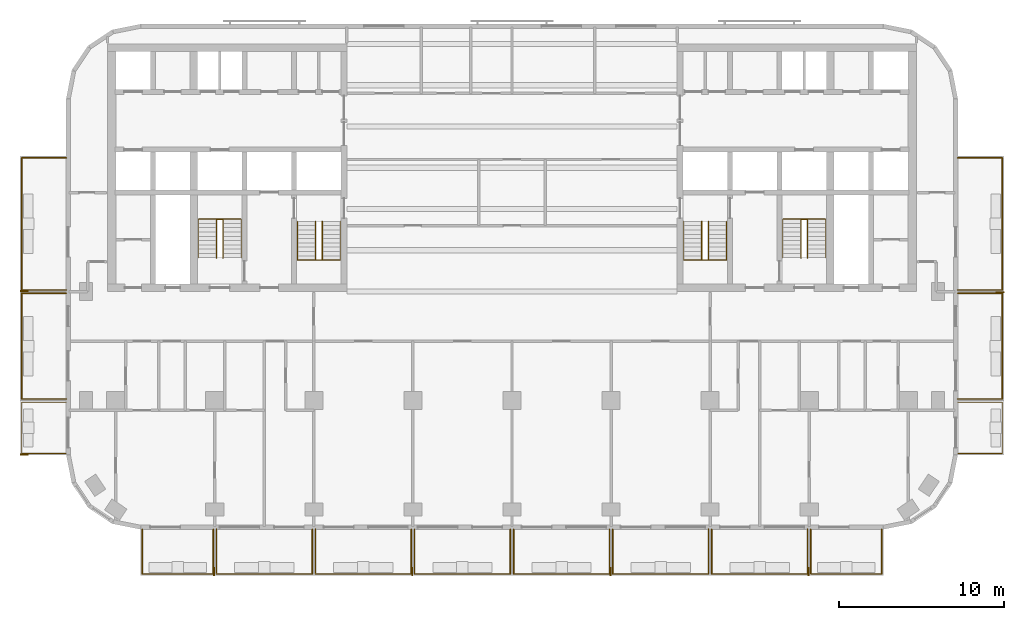
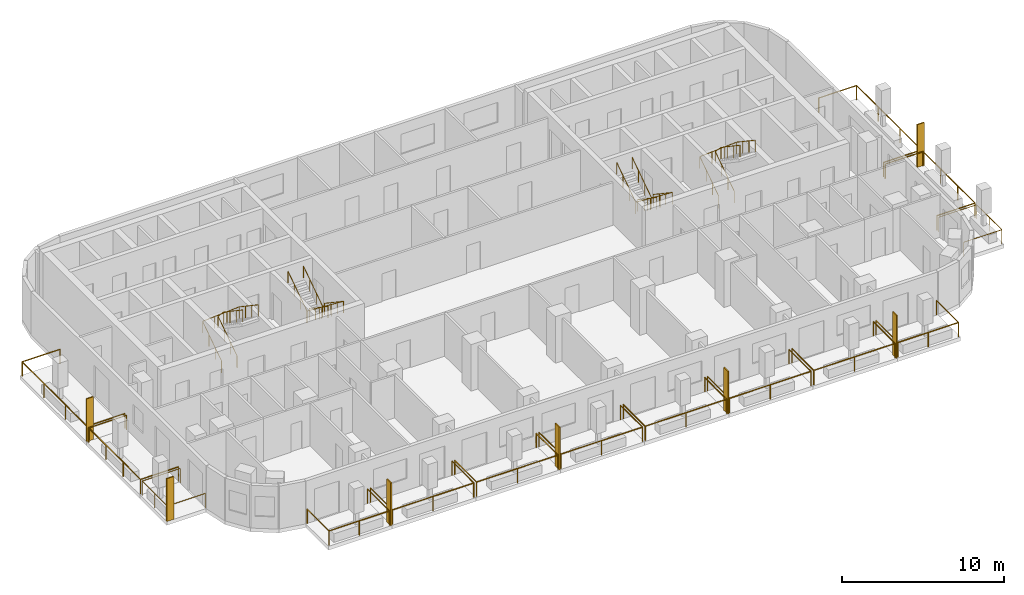
# One storey, part 10 of 12: 22 railings, 7 shading devices.
"""IFC4 building model written with IfcOpenShell, lengths in metres."""

from ifc_helpers import new_model, si_unit, direction, frame, origin, origin_2d, place, context, subcontext, project, spatial, rectangle, circle, extrude, material, layer, layer_set, type_object, element, save


model = new_model("IFC4")

# Units and contexts
model_context = context("Model", 3, precision=1e-05, world=origin(), true_north=direction((0.0, 1.0)))
body_context = subcontext(model_context, "Body", "Model", "MODEL_VIEW")
ifc_project = project(units=[si_unit("LENGTHUNIT", "METRE"), si_unit("AREAUNIT", "SQUARE_METRE"), si_unit("VOLUMEUNIT", "CUBIC_METRE"), si_unit("PLANEANGLEUNIT", "RADIAN"), si_unit("MASSUNIT", "GRAM", prefix="KILO")], contexts=[model_context])

# Site, building, storey
site_placement = place(None, origin())
site = spatial("IfcSite", under=ifc_project, at=site_placement, CompositionType="ELEMENT")
building_placement = place(site_placement, origin())
building = spatial("IfcBuilding", under=site, at=building_placement, Name="Torana Hotel and Residences", CompositionType="ELEMENT")
storey_placement = place(building_placement, frame((0.0, 0.0, 201.10009765625)))
storey = spatial("IfcBuildingStorey", under=building, at=storey_placement, Name="L52", CompositionType="ELEMENT", Elevation=201.10009765625)

# Shading devices
ifc_material_1 = material(Name="Black powder coated aluminium", Category="aluminium")
ifc_layer = layer(ifc_material_1, 0.080078125)
ifc_layer_set = layer_set([ifc_layer], Name="FN1 VERTICAL FIN 500x80")
shading_device_type = type_object("IfcShadingDeviceType", Name="FN1 VERTICAL FIN 500x80", PredefinedType="USERDEFINED", material=ifc_layer_set)
for number, where, z_axis, x_axis, name in (
    (1, (-18.0400390625, -31.949951171875, 0.0), (0.0, 0.0, 1.0), (-1.0, 0.0, 0.0), "Fin 01"),
    (2, (-6.0400390625, -31.949951171875, 0.0), (0.0, 0.0, 1.0), (-1.0, 0.0, 0.0), "Fin 03"),
    (3, (5.9599609375, -31.949951171875, 0.0), (0.0, 0.0, 1.0), (-1.0, 0.0, 0.0), "Fin 05"),
    (4, (17.9599609375, -31.949951171875, 0.0), (0.0, 0.0, 1.0), (-1.0, 0.0, 0.0), "Fin 07"),
    (5, (-29.550048828125, -24.860107421875, 0.0), (0.0, 0.0, 1.0), (0.0, 1.0, 0.0), "Fin 09"),
    (6, (-29.550048828125, -14.9599609375, 0.0), (0.0, 0.0, 1.0), (0.0, 1.0, 0.0), "Fin 11"),
    (7, (29.550048828125, -15.0400390625, 0.0), (0.0, 0.0, 1.0), (0.0, -1.0, 0.0), "Fin 13"),
):
    element("IfcShadingDevice", number, at=place(storey_placement, frame(where, z_axis=z_axis, x_axis=x_axis)), inside=storey, type_object=shading_device_type, Name=name, ObjectType="FIN", PredefinedType="USERDEFINED", context=body_context, shape_type="SweptSolid", body=[
        extrude(rectangle(XDim=0.080078125, YDim=0.5, at=origin_2d()), origin(), (0.0, 0.0, 1.0), 3.219970703125),
    ])

# Railings
ifc_material_2 = material(Name="Laminated glass balustrade with black handrail", Category="glass")
railing_type_1 = type_object("IfcRailingType", Name="GR1 BALCONY GUARD 1100 GLASS", PredefinedType="GUARDRAIL", material=ifc_material_2)
railing_1_placement = place(storey_placement, frame((-18.10009765625, -29.39990234375, 0.0)))
element("IfcRailing", 8, at=railing_1_placement, inside=storey, type_object=railing_type_1, Name="Balcony guard 01", PredefinedType="GUARDRAIL", context=body_context, shape_type="SweptSolid", body=[
    extrude(circle(Radius=0.02392578125, at=origin_2d()), frame((0.0, 0.0, 1.076171875), z_axis=(0.0, -1.0, 0.0), x_axis=(1.0, 0.0, 0.0)), (0.0, 0.0, 1.0), 2.7001953125),
    extrude(circle(Radius=0.02392578125, at=origin_2d()), frame((0.0, -2.7001953125, 1.076171875), z_axis=(-1.0, 0.0, 0.0), x_axis=(0.0, -1.0, 0.0)), (0.0, 0.0, 1.0), 4.2998046875),
    extrude(circle(Radius=0.02392578125, at=origin_2d()), frame((-4.2998046875, -2.7001953125, 1.076171875), z_axis=(0.0, 1.0, 0.0), x_axis=(-1.0, 0.0, 0.0)), (0.0, 0.0, 1.0), 2.7001953125),
    extrude(circle(Radius=0.02099609375, at=origin_2d()), origin(), (0.0, 0.0, 1.0), 1.052001953125),
    extrude(circle(Radius=0.02099609375, at=origin_2d()), frame((0.0, -2.7001953125, 0.0)), (0.0, 0.0, 1.0), 1.052001953125),
    extrude(circle(Radius=0.02099609375, at=origin_2d()), frame((-2.14990234375, -2.7001953125, 0.0)), (0.0, 0.0, 1.0), 1.052001953125),
    extrude(circle(Radius=0.02099609375, at=origin_2d()), frame((-4.2998046875, -2.7001953125, 0.0)), (0.0, 0.0, 1.0), 1.052001953125),
    extrude(circle(Radius=0.02099609375, at=origin_2d()), frame((-4.2998046875, 0.0, 0.0)), (0.0, 0.0, 1.0), 1.052001953125),
])
for number, where, name in (
    (9, (-12.10009765625, -29.39990234375, 0.0), "Balcony guard 02"),
    (10, (-6.10009765625, -29.39990234375, 0.0), "Balcony guard 03"),
    (11, (-0.10009765625, -29.39990234375, 0.0), "Balcony guard 04"),
    (12, (5.89990234375, -29.39990234375, 0.0), "Balcony guard 05"),
    (13, (11.89990234375, -29.39990234375, 0.0), "Balcony guard 06"),
    (14, (17.89990234375, -29.39990234375, 0.0), "Balcony guard 07"),
):
    element("IfcRailing", number, at=place(storey_placement, frame(where)), inside=storey, type_object=railing_type_1, Name=name, PredefinedType="GUARDRAIL", context=body_context, shape_type="SweptSolid", body=[
        extrude(circle(Radius=0.02392578125, at=origin_2d()), frame((0.0, 0.0, 1.076171875), z_axis=(0.0, -1.0, 0.0), x_axis=(1.0, 0.0, 0.0)), (0.0, 0.0, 1.0), 2.7001953125),
        extrude(circle(Radius=0.02392578125, at=origin_2d()), frame((0.0, -2.7001953125, 1.076171875), z_axis=(-1.0, 0.0, 0.0), x_axis=(0.0, -1.0, 0.0)), (0.0, 0.0, 1.0), 5.7998046875),
        extrude(circle(Radius=0.02392578125, at=origin_2d()), frame((-5.7998046875, -2.7001953125, 1.076171875), z_axis=(0.0, 1.0, 0.0), x_axis=(-1.0, 0.0, 0.0)), (0.0, 0.0, 1.0), 2.7001953125),
        extrude(circle(Radius=0.02099609375, at=origin_2d()), origin(), (0.0, 0.0, 1.0), 1.052001953125),
        extrude(circle(Radius=0.02099609375, at=origin_2d()), frame((0.0, -2.7001953125, 0.0)), (0.0, 0.0, 1.0), 1.052001953125),
        extrude(circle(Radius=0.02099609375, at=origin_2d()), frame((-2.89990234375, -2.7001953125, 0.0)), (0.0, 0.0, 1.0), 1.052001953125),
        extrude(circle(Radius=0.02099609375, at=origin_2d()), frame((-5.7998046875, -2.7001953125, 0.0)), (0.0, 0.0, 1.0), 1.052001953125),
        extrude(circle(Radius=0.02099609375, at=origin_2d()), frame((-5.7998046875, 0.0, 0.0)), (0.0, 0.0, 1.0), 1.052001953125),
    ])
railing_2_placement = place(storey_placement, frame((22.39990234375, -29.39990234375, 0.0)))
element("IfcRailing", 15, at=railing_2_placement, inside=storey, type_object=railing_type_1, Name="Balcony guard 08", PredefinedType="GUARDRAIL", context=body_context, shape_type="SweptSolid", body=[
    extrude(circle(Radius=0.02392578125, at=origin_2d()), frame((0.0, 0.0, 1.076171875), z_axis=(0.0, -1.0, 0.0), x_axis=(1.0, 0.0, 0.0)), (0.0, 0.0, 1.0), 2.7001953125),
    extrude(circle(Radius=0.02392578125, at=origin_2d()), frame((0.0, -2.7001953125, 1.076171875), z_axis=(-1.0, 0.0, 0.0), x_axis=(0.0, -1.0, 0.0)), (0.0, 0.0, 1.0), 4.2998046875),
    extrude(circle(Radius=0.02392578125, at=origin_2d()), frame((-4.2998046875, -2.7001953125, 1.076171875), z_axis=(0.0, 1.0, 0.0), x_axis=(-1.0, 0.0, 0.0)), (0.0, 0.0, 1.0), 2.7001953125),
    extrude(circle(Radius=0.02099609375, at=origin_2d()), origin(), (0.0, 0.0, 1.0), 1.052001953125),
    extrude(circle(Radius=0.02099609375, at=origin_2d()), frame((0.0, -2.7001953125, 0.0)), (0.0, 0.0, 1.0), 1.052001953125),
    extrude(circle(Radius=0.02099609375, at=origin_2d()), frame((-2.14990234375, -2.7001953125, 0.0)), (0.0, 0.0, 1.0), 1.052001953125),
    extrude(circle(Radius=0.02099609375, at=origin_2d()), frame((-4.2998046875, -2.7001953125, 0.0)), (0.0, 0.0, 1.0), 1.052001953125),
    extrude(circle(Radius=0.02099609375, at=origin_2d()), frame((-4.2998046875, 0.0, 0.0)), (0.0, 0.0, 1.0), 1.052001953125),
])
railing_3_placement = place(storey_placement, frame((-27.0, -24.800048828125, 0.0)))
element("IfcRailing", 16, at=railing_3_placement, inside=storey, type_object=railing_type_1, Name="Balcony guard 09", PredefinedType="GUARDRAIL", context=body_context, shape_type="SweptSolid", body=[
    extrude(circle(Radius=0.02392578125, at=origin_2d()), frame((0.0, 0.0, 1.076171875), z_axis=(-1.0, 0.0, 0.0), x_axis=(0.0, -1.0, 0.0)), (0.0, 0.0, 1.0), 2.699951171875),
    extrude(circle(Radius=0.02392578125, at=origin_2d()), frame((-2.699951171875, 0.0, 1.076171875), z_axis=(0.0, 1.0, 0.0), x_axis=(-1.0, 0.0, 0.0)), (0.0, 0.0, 1.0), 3.10009765625),
    extrude(circle(Radius=0.02392578125, at=origin_2d()), frame((-2.699951171875, 3.10009765625, 1.076171875), z_axis=(1.0, 0.0, 0.0), x_axis=(0.0, 1.0, 0.0)), (0.0, 0.0, 1.0), 2.699951171875),
    extrude(circle(Radius=0.02099609375, at=origin_2d()), origin(), (0.0, 0.0, 1.0), 1.052001953125),
    extrude(circle(Radius=0.02099609375, at=origin_2d()), frame((-2.699951171875, 0.0, 0.0)), (0.0, 0.0, 1.0), 1.052001953125),
    extrude(circle(Radius=0.02099609375, at=origin_2d()), frame((-2.699951171875, 1.550048828125, 0.0)), (0.0, 0.0, 1.0), 1.052001953125),
    extrude(circle(Radius=0.02099609375, at=origin_2d()), frame((-2.699951171875, 3.10009765625, 0.0)), (0.0, 0.0, 1.0), 1.052001953125),
    extrude(circle(Radius=0.02099609375, at=origin_2d()), frame((0.0, 3.10009765625, 0.0)), (0.0, 0.0, 1.0), 1.052001953125),
])
railing_4_placement = place(storey_placement, frame((-27.0, -21.5, 0.0)))
element("IfcRailing", 17, at=railing_4_placement, inside=storey, type_object=railing_type_1, Name="Balcony guard 10", PredefinedType="GUARDRAIL", context=body_context, shape_type="SweptSolid", body=[
    extrude(circle(Radius=0.02392578125, at=origin_2d()), frame((0.0, 0.0, 1.076171875), z_axis=(-1.0, 0.0, 0.0), x_axis=(0.0, -1.0, 0.0)), (0.0, 0.0, 1.0), 2.699951171875),
    extrude(circle(Radius=0.02392578125, at=origin_2d()), frame((-2.699951171875, 0.0, 1.076171875), z_axis=(0.0, 1.0, 0.0), x_axis=(-1.0, 0.0, 0.0)), (0.0, 0.0, 1.0), 6.39990234375),
    extrude(circle(Radius=0.02392578125, at=origin_2d()), frame((-2.699951171875, 6.39990234375, 1.076171875), z_axis=(1.0, 0.0, 0.0), x_axis=(0.0, 1.0, 0.0)), (0.0, 0.0, 1.0), 2.699951171875),
    extrude(circle(Radius=0.02099609375, at=origin_2d()), origin(), (0.0, 0.0, 1.0), 1.052001953125),
    extrude(circle(Radius=0.02099609375, at=origin_2d()), frame((-2.699951171875, 0.0, 0.0)), (0.0, 0.0, 1.0), 1.052001953125),
    extrude(circle(Radius=0.02099609375, at=origin_2d()), frame((-2.699951171875, 2.13330078125, 0.0)), (0.0, 0.0, 1.0), 1.052001953125),
    extrude(circle(Radius=0.02099609375, at=origin_2d()), frame((-2.699951171875, 4.2666015625, 0.0)), (0.0, 0.0, 1.0), 1.052001953125),
    extrude(circle(Radius=0.02099609375, at=origin_2d()), frame((-2.699951171875, 6.39990234375, 0.0)), (0.0, 0.0, 1.0), 1.052001953125),
    extrude(circle(Radius=0.02099609375, at=origin_2d()), frame((0.0, 6.39990234375, 0.0)), (0.0, 0.0, 1.0), 1.052001953125),
])
railing_5_placement = place(storey_placement, frame((-27.0, -14.89990234375, 0.0)))
element("IfcRailing", 18, at=railing_5_placement, inside=storey, type_object=railing_type_1, Name="Balcony guard 11", PredefinedType="GUARDRAIL", context=body_context, shape_type="SweptSolid", body=[
    extrude(circle(Radius=0.02392578125, at=origin_2d()), frame((0.0, 0.0, 1.076171875), z_axis=(-1.0, 0.0, 0.0), x_axis=(0.0, -1.0, 0.0)), (0.0, 0.0, 1.0), 2.699951171875),
    extrude(circle(Radius=0.02392578125, at=origin_2d()), frame((-2.699951171875, 0.0, 1.076171875), z_axis=(0.0, 1.0, 0.0), x_axis=(-1.0, 0.0, 0.0)), (0.0, 0.0, 1.0), 8.0),
    extrude(circle(Radius=0.02392578125, at=origin_2d()), frame((-2.699951171875, 8.0, 1.076171875), z_axis=(1.0, 0.0, 0.0), x_axis=(0.0, 1.0, 0.0)), (0.0, 0.0, 1.0), 2.699951171875),
    extrude(circle(Radius=0.02099609375, at=origin_2d()), origin(), (0.0, 0.0, 1.0), 1.052001953125),
    extrude(circle(Radius=0.02099609375, at=origin_2d()), frame((-2.699951171875, 0.0, 0.0)), (0.0, 0.0, 1.0), 1.052001953125),
    extrude(circle(Radius=0.02099609375, at=origin_2d()), frame((-2.699951171875, 2.666748046875, 0.0)), (0.0, 0.0, 1.0), 1.052001953125),
    extrude(circle(Radius=0.02099609375, at=origin_2d()), frame((-2.699951171875, 5.333251953125, 0.0)), (0.0, 0.0, 1.0), 1.052001953125),
    extrude(circle(Radius=0.02099609375, at=origin_2d()), frame((-2.699951171875, 8.0, 0.0)), (0.0, 0.0, 1.0), 1.052001953125),
    extrude(circle(Radius=0.02099609375, at=origin_2d()), frame((0.0, 8.0, 0.0)), (0.0, 0.0, 1.0), 1.052001953125),
])
railing_6_placement = place(storey_placement, frame((27.0, -21.699951171875, 0.0)))
element("IfcRailing", 19, at=railing_6_placement, inside=storey, type_object=railing_type_1, Name="Balcony guard 12", PredefinedType="GUARDRAIL", context=body_context, shape_type="SweptSolid", body=[
    extrude(circle(Radius=0.02392578125, at=origin_2d()), frame((0.0, 0.0, 1.076171875), z_axis=(1.0, 0.0, 0.0), x_axis=(0.0, 1.0, 0.0)), (0.0, 0.0, 1.0), 2.699951171875),
    extrude(circle(Radius=0.02392578125, at=origin_2d()), frame((2.699951171875, 0.0, 1.076171875), z_axis=(0.0, -1.0, 0.0), x_axis=(1.0, 0.0, 0.0)), (0.0, 0.0, 1.0), 3.10009765625),
    extrude(circle(Radius=0.02392578125, at=origin_2d()), frame((2.699951171875, -3.10009765625, 1.076171875), z_axis=(-1.0, 0.0, 0.0), x_axis=(0.0, -1.0, 0.0)), (0.0, 0.0, 1.0), 2.699951171875),
    extrude(circle(Radius=0.02099609375, at=origin_2d()), origin(), (0.0, 0.0, 1.0), 1.052001953125),
    extrude(circle(Radius=0.02099609375, at=origin_2d()), frame((2.699951171875, 0.0, 0.0)), (0.0, 0.0, 1.0), 1.052001953125),
    extrude(circle(Radius=0.02099609375, at=origin_2d()), frame((2.699951171875, -1.550048828125, 0.0)), (0.0, 0.0, 1.0), 1.052001953125),
    extrude(circle(Radius=0.02099609375, at=origin_2d()), frame((2.699951171875, -3.10009765625, 0.0)), (0.0, 0.0, 1.0), 1.052001953125),
    extrude(circle(Radius=0.02099609375, at=origin_2d()), frame((0.0, -3.10009765625, 0.0)), (0.0, 0.0, 1.0), 1.052001953125),
])
railing_7_placement = place(storey_placement, frame((27.0, -15.10009765625, 0.0)))
element("IfcRailing", 20, at=railing_7_placement, inside=storey, type_object=railing_type_1, Name="Balcony guard 13", PredefinedType="GUARDRAIL", context=body_context, shape_type="SweptSolid", body=[
    extrude(circle(Radius=0.02392578125, at=origin_2d()), frame((0.0, 0.0, 1.076171875), z_axis=(1.0, 0.0, 0.0), x_axis=(0.0, 1.0, 0.0)), (0.0, 0.0, 1.0), 2.699951171875),
    extrude(circle(Radius=0.02392578125, at=origin_2d()), frame((2.699951171875, 0.0, 1.076171875), z_axis=(0.0, -1.0, 0.0), x_axis=(1.0, 0.0, 0.0)), (0.0, 0.0, 1.0), 6.39990234375),
    extrude(circle(Radius=0.02392578125, at=origin_2d()), frame((2.699951171875, -6.39990234375, 1.076171875), z_axis=(-1.0, 0.0, 0.0), x_axis=(0.0, -1.0, 0.0)), (0.0, 0.0, 1.0), 2.699951171875),
    extrude(circle(Radius=0.02099609375, at=origin_2d()), origin(), (0.0, 0.0, 1.0), 1.052001953125),
    extrude(circle(Radius=0.02099609375, at=origin_2d()), frame((2.699951171875, 0.0, 0.0)), (0.0, 0.0, 1.0), 1.052001953125),
    extrude(circle(Radius=0.02099609375, at=origin_2d()), frame((2.699951171875, -2.13330078125, 0.0)), (0.0, 0.0, 1.0), 1.052001953125),
    extrude(circle(Radius=0.02099609375, at=origin_2d()), frame((2.699951171875, -4.2666015625, 0.0)), (0.0, 0.0, 1.0), 1.052001953125),
    extrude(circle(Radius=0.02099609375, at=origin_2d()), frame((2.699951171875, -6.39990234375, 0.0)), (0.0, 0.0, 1.0), 1.052001953125),
    extrude(circle(Radius=0.02099609375, at=origin_2d()), frame((0.0, -6.39990234375, 0.0)), (0.0, 0.0, 1.0), 1.052001953125),
])
railing_8_placement = place(storey_placement, frame((27.0, -6.89990234375, 0.0)))
element("IfcRailing", 21, at=railing_8_placement, inside=storey, type_object=railing_type_1, Name="Balcony guard 14", PredefinedType="GUARDRAIL", context=body_context, shape_type="SweptSolid", body=[
    extrude(circle(Radius=0.02392578125, at=origin_2d()), frame((0.0, 0.0, 1.076171875), z_axis=(1.0, 0.0, 0.0), x_axis=(0.0, 1.0, 0.0)), (0.0, 0.0, 1.0), 2.699951171875),
    extrude(circle(Radius=0.02392578125, at=origin_2d()), frame((2.699951171875, 0.0, 1.076171875), z_axis=(0.0, -1.0, 0.0), x_axis=(1.0, 0.0, 0.0)), (0.0, 0.0, 1.0), 8.0),
    extrude(circle(Radius=0.02392578125, at=origin_2d()), frame((2.699951171875, -8.0, 1.076171875), z_axis=(-1.0, 0.0, 0.0), x_axis=(0.0, -1.0, 0.0)), (0.0, 0.0, 1.0), 2.699951171875),
    extrude(circle(Radius=0.02099609375, at=origin_2d()), origin(), (0.0, 0.0, 1.0), 1.052001953125),
    extrude(circle(Radius=0.02099609375, at=origin_2d()), frame((2.699951171875, 0.0, 0.0)), (0.0, 0.0, 1.0), 1.052001953125),
    extrude(circle(Radius=0.02099609375, at=origin_2d()), frame((2.699951171875, -2.666748046875, 0.0)), (0.0, 0.0, 1.0), 1.052001953125),
    extrude(circle(Radius=0.02099609375, at=origin_2d()), frame((2.699951171875, -5.333251953125, 0.0)), (0.0, 0.0, 1.0), 1.052001953125),
    extrude(circle(Radius=0.02099609375, at=origin_2d()), frame((2.699951171875, -8.0, 0.0)), (0.0, 0.0, 1.0), 1.052001953125),
    extrude(circle(Radius=0.02099609375, at=origin_2d()), frame((0.0, -8.0, 0.0)), (0.0, 0.0, 1.0), 1.052001953125),
])
ifc_material_3 = material(Name="Stainless steel 316", Category="steel")
railing_type_2 = type_object("IfcRailingType", Name="STAIR HANDRAIL HR1 900", PredefinedType="HANDRAIL", material=ifc_material_3)
railing_9_placement = place(storey_placement, frame((-10.39990234375, -10.75, 0.1748046875)))
element("IfcRailing", 22, at=railing_9_placement, inside=storey, type_object=railing_type_2, Name="Handrail ST1 L52 O1", PredefinedType="HANDRAIL", context=body_context, shape_type="SweptSolid", body=[
    extrude(circle(Radius=0.02392578125, at=origin_2d()), frame((0.0, 0.0, 0.8759765625), z_axis=(0.0, -0.829565388462, 0.558409586474), x_axis=(1.0, 0.0, 0.0)), (0.0, 0.0, 1.0), 2.82080078125),
    extrude(circle(Radius=0.02392578125, at=origin_2d()), frame((0.0, -2.340087890625, 2.451171875), z_axis=(-0.997747692642, 0.0, 0.067078624219), x_axis=(0.0, -1.0, 0.0)), (0.0, 0.0, 1.0), 2.60595703125),
    extrude(circle(Radius=0.02392578125, at=origin_2d()), frame((-2.60009765625, -2.340087890625, 2.6259765625), z_axis=(0.0, 0.829565388462, 0.558409586474), x_axis=(-1.0, 0.0, 0.0)), (0.0, 0.0, 1.0), 2.82080078125),
    extrude(circle(Radius=0.02099609375, at=origin_2d()), origin(), (0.0, 0.0, 1.0), 0.851806640625),
    extrude(circle(Radius=0.02099609375, at=origin_2d()), frame((0.0, -0.780029296875, 0.525146484375)), (0.0, 0.0, 1.0), 0.851806640625),
    extrude(circle(Radius=0.02099609375, at=origin_2d()), frame((0.0, -1.56005859375, 1.050048828125)), (0.0, 0.0, 1.0), 0.851806640625),
    extrude(circle(Radius=0.02099609375, at=origin_2d()), frame((0.0, -2.340087890625, 1.5751953125)), (0.0, 0.0, 1.0), 0.851806640625),
    extrude(circle(Radius=0.02099609375, at=origin_2d()), frame((-0.86669921875, -2.340087890625, 1.633544921875)), (0.0, 0.0, 1.0), 0.851806640625),
    extrude(circle(Radius=0.02099609375, at=origin_2d()), frame((-1.7333984375, -2.340087890625, 1.691650390625)), (0.0, 0.0, 1.0), 0.851806640625),
    extrude(circle(Radius=0.02099609375, at=origin_2d()), frame((-2.60009765625, -2.340087890625, 1.75)), (0.0, 0.0, 1.0), 0.851806640625),
    extrude(circle(Radius=0.02099609375, at=origin_2d()), frame((-2.60009765625, -1.56005859375, 2.275146484375)), (0.0, 0.0, 1.0), 0.851806640625),
    extrude(circle(Radius=0.02099609375, at=origin_2d()), frame((-2.60009765625, -0.780029296875, 2.800048828125)), (0.0, 0.0, 1.0), 0.851806640625),
    extrude(circle(Radius=0.02099609375, at=origin_2d()), frame((-2.60009765625, 0.0, 3.3251953125)), (0.0, 0.0, 1.0), 0.851806640625),
])
railing_10_placement = place(storey_placement, frame((-11.5, -10.75, 0.1748046875)))
element("IfcRailing", 23, at=railing_10_placement, inside=storey, type_object=railing_type_2, Name="Handrail ST1 L52 I1", PredefinedType="HANDRAIL", context=body_context, shape_type="SweptSolid", body=[
    extrude(circle(Radius=0.02392578125, at=origin_2d()), frame((0.0, 0.0, 0.8759765625), z_axis=(0.0, -0.829565388462, 0.558409586474), x_axis=(1.0, 0.0, 0.0)), (0.0, 0.0, 1.0), 2.82080078125),
    extrude(circle(Radius=0.02392578125, at=origin_2d()), frame((0.0, -2.340087890625, 2.451171875), z_axis=(-0.916285673175, 0.0, 0.400525361412), x_axis=(0.0, -1.0, 0.0)), (0.0, 0.0, 1.0), 0.4365234375),
    extrude(circle(Radius=0.02392578125, at=origin_2d()), frame((-0.39990234375, -2.340087890625, 2.6259765625), z_axis=(0.0, 0.829565388462, 0.558409586474), x_axis=(-1.0, 0.0, 0.0)), (0.0, 0.0, 1.0), 2.82080078125),
    extrude(circle(Radius=0.02099609375, at=origin_2d()), origin(), (0.0, 0.0, 1.0), 0.851806640625),
    extrude(circle(Radius=0.02099609375, at=origin_2d()), frame((0.0, -0.780029296875, 0.525146484375)), (0.0, 0.0, 1.0), 0.851806640625),
    extrude(circle(Radius=0.02099609375, at=origin_2d()), frame((0.0, -1.56005859375, 1.050048828125)), (0.0, 0.0, 1.0), 0.851806640625),
    extrude(circle(Radius=0.02099609375, at=origin_2d()), frame((0.0, -2.340087890625, 1.5751953125)), (0.0, 0.0, 1.0), 0.851806640625),
    extrude(circle(Radius=0.02099609375, at=origin_2d()), frame((-0.39990234375, -2.340087890625, 1.75)), (0.0, 0.0, 1.0), 0.851806640625),
    extrude(circle(Radius=0.02099609375, at=origin_2d()), frame((-0.39990234375, -1.56005859375, 2.275146484375)), (0.0, 0.0, 1.0), 0.851806640625),
    extrude(circle(Radius=0.02099609375, at=origin_2d()), frame((-0.39990234375, -0.780029296875, 2.800048828125)), (0.0, 0.0, 1.0), 0.851806640625),
    extrude(circle(Radius=0.02099609375, at=origin_2d()), frame((-0.39990234375, 0.0, 3.3251953125)), (0.0, 0.0, 1.0), 0.851806640625),
])
railing_11_placement = place(storey_placement, frame((-19.0, -12.949951171875, 0.1748046875)))
element("IfcRailing", 24, at=railing_11_placement, inside=storey, type_object=railing_type_2, Name="Handrail ST2 L52 O1", PredefinedType="HANDRAIL", context=body_context, shape_type="SweptSolid", body=[
    extrude(circle(Radius=0.02392578125, at=origin_2d()), frame((0.0, 0.0, 0.8759765625), z_axis=(0.0, 0.829538397957, 0.558449681095), x_axis=(-1.0, 0.0, 0.0)), (0.0, 0.0, 1.0), 2.820556640625),
    extrude(circle(Radius=0.02392578125, at=origin_2d()), frame((0.0, 2.33984375, 2.451171875), z_axis=(0.997747692642, 0.0, 0.067078624219), x_axis=(0.0, 1.0, 0.0)), (0.0, 0.0, 1.0), 2.60595703125),
    extrude(circle(Radius=0.02392578125, at=origin_2d()), frame((2.60009765625, 2.33984375, 2.6259765625), z_axis=(0.0, -0.829538397957, 0.558449681095), x_axis=(1.0, 0.0, 0.0)), (0.0, 0.0, 1.0), 2.820556640625),
    extrude(circle(Radius=0.02099609375, at=origin_2d()), origin(), (0.0, 0.0, 1.0), 0.851806640625),
    extrude(circle(Radius=0.02099609375, at=origin_2d()), frame((0.0, 0.780029296875, 0.525146484375)), (0.0, 0.0, 1.0), 0.851806640625),
    extrude(circle(Radius=0.02099609375, at=origin_2d()), frame((0.0, 1.559814453125, 1.050048828125)), (0.0, 0.0, 1.0), 0.851806640625),
    extrude(circle(Radius=0.02099609375, at=origin_2d()), frame((0.0, 2.33984375, 1.5751953125)), (0.0, 0.0, 1.0), 0.851806640625),
    extrude(circle(Radius=0.02099609375, at=origin_2d()), frame((0.86669921875, 2.33984375, 1.633544921875)), (0.0, 0.0, 1.0), 0.851806640625),
    extrude(circle(Radius=0.02099609375, at=origin_2d()), frame((1.7333984375, 2.33984375, 1.691650390625)), (0.0, 0.0, 1.0), 0.851806640625),
    extrude(circle(Radius=0.02099609375, at=origin_2d()), frame((2.60009765625, 2.33984375, 1.75)), (0.0, 0.0, 1.0), 0.851806640625),
    extrude(circle(Radius=0.02099609375, at=origin_2d()), frame((2.60009765625, 1.559814453125, 2.275146484375)), (0.0, 0.0, 1.0), 0.851806640625),
    extrude(circle(Radius=0.02099609375, at=origin_2d()), frame((2.60009765625, 0.780029296875, 2.800048828125)), (0.0, 0.0, 1.0), 0.851806640625),
    extrude(circle(Radius=0.02099609375, at=origin_2d()), frame((2.60009765625, 0.0, 3.3251953125)), (0.0, 0.0, 1.0), 0.851806640625),
])
railing_12_placement = place(storey_placement, frame((-17.89990234375, -12.949951171875, 0.1748046875)))
element("IfcRailing", 25, at=railing_12_placement, inside=storey, type_object=railing_type_2, Name="Handrail ST2 L52 I1", PredefinedType="HANDRAIL", context=body_context, shape_type="SweptSolid", body=[
    extrude(circle(Radius=0.02392578125, at=origin_2d()), frame((0.0, 0.0, 0.8759765625), z_axis=(0.0, 0.829538397957, 0.558449681095), x_axis=(-1.0, 0.0, 0.0)), (0.0, 0.0, 1.0), 2.820556640625),
    extrude(circle(Radius=0.02392578125, at=origin_2d()), frame((0.0, 2.33984375, 2.451171875), z_axis=(0.916285673175, 0.0, 0.400525361412), x_axis=(0.0, 1.0, 0.0)), (0.0, 0.0, 1.0), 0.4365234375),
    extrude(circle(Radius=0.02392578125, at=origin_2d()), frame((0.39990234375, 2.33984375, 2.6259765625), z_axis=(0.0, -0.829538397957, 0.558449681095), x_axis=(1.0, 0.0, 0.0)), (0.0, 0.0, 1.0), 2.820556640625),
    extrude(circle(Radius=0.02099609375, at=origin_2d()), origin(), (0.0, 0.0, 1.0), 0.851806640625),
    extrude(circle(Radius=0.02099609375, at=origin_2d()), frame((0.0, 0.780029296875, 0.525146484375)), (0.0, 0.0, 1.0), 0.851806640625),
    extrude(circle(Radius=0.02099609375, at=origin_2d()), frame((0.0, 1.559814453125, 1.050048828125)), (0.0, 0.0, 1.0), 0.851806640625),
    extrude(circle(Radius=0.02099609375, at=origin_2d()), frame((0.0, 2.33984375, 1.5751953125)), (0.0, 0.0, 1.0), 0.851806640625),
    extrude(circle(Radius=0.02099609375, at=origin_2d()), frame((0.39990234375, 2.33984375, 1.75)), (0.0, 0.0, 1.0), 0.851806640625),
    extrude(circle(Radius=0.02099609375, at=origin_2d()), frame((0.39990234375, 1.559814453125, 2.275146484375)), (0.0, 0.0, 1.0), 0.851806640625),
    extrude(circle(Radius=0.02099609375, at=origin_2d()), frame((0.39990234375, 0.780029296875, 2.800048828125)), (0.0, 0.0, 1.0), 0.851806640625),
    extrude(circle(Radius=0.02099609375, at=origin_2d()), frame((0.39990234375, 0.0, 3.3251953125)), (0.0, 0.0, 1.0), 0.851806640625),
])
railing_13_placement = place(storey_placement, frame((13.0, -10.75, 0.1748046875)))
element("IfcRailing", 26, at=railing_13_placement, inside=storey, type_object=railing_type_2, Name="Handrail ST3 L52 O1", PredefinedType="HANDRAIL", context=body_context, shape_type="SweptSolid", body=[
    extrude(circle(Radius=0.02392578125, at=origin_2d()), frame((0.0, 0.0, 0.8759765625), z_axis=(0.0, -0.829565388462, 0.558409586474), x_axis=(1.0, 0.0, 0.0)), (0.0, 0.0, 1.0), 2.82080078125),
    extrude(circle(Radius=0.02392578125, at=origin_2d()), frame((0.0, -2.340087890625, 2.451171875), z_axis=(-0.997747692642, 0.0, 0.067078624219), x_axis=(0.0, -1.0, 0.0)), (0.0, 0.0, 1.0), 2.60595703125),
    extrude(circle(Radius=0.02392578125, at=origin_2d()), frame((-2.60009765625, -2.340087890625, 2.6259765625), z_axis=(0.0, 0.829565388462, 0.558409586474), x_axis=(-1.0, 0.0, 0.0)), (0.0, 0.0, 1.0), 2.82080078125),
    extrude(circle(Radius=0.02099609375, at=origin_2d()), origin(), (0.0, 0.0, 1.0), 0.851806640625),
    extrude(circle(Radius=0.02099609375, at=origin_2d()), frame((0.0, -0.780029296875, 0.525146484375)), (0.0, 0.0, 1.0), 0.851806640625),
    extrude(circle(Radius=0.02099609375, at=origin_2d()), frame((0.0, -1.56005859375, 1.050048828125)), (0.0, 0.0, 1.0), 0.851806640625),
    extrude(circle(Radius=0.02099609375, at=origin_2d()), frame((0.0, -2.340087890625, 1.5751953125)), (0.0, 0.0, 1.0), 0.851806640625),
    extrude(circle(Radius=0.02099609375, at=origin_2d()), frame((-0.86669921875, -2.340087890625, 1.633544921875)), (0.0, 0.0, 1.0), 0.851806640625),
    extrude(circle(Radius=0.02099609375, at=origin_2d()), frame((-1.7333984375, -2.340087890625, 1.691650390625)), (0.0, 0.0, 1.0), 0.851806640625),
    extrude(circle(Radius=0.02099609375, at=origin_2d()), frame((-2.60009765625, -2.340087890625, 1.75)), (0.0, 0.0, 1.0), 0.851806640625),
    extrude(circle(Radius=0.02099609375, at=origin_2d()), frame((-2.60009765625, -1.56005859375, 2.275146484375)), (0.0, 0.0, 1.0), 0.851806640625),
    extrude(circle(Radius=0.02099609375, at=origin_2d()), frame((-2.60009765625, -0.780029296875, 2.800048828125)), (0.0, 0.0, 1.0), 0.851806640625),
    extrude(circle(Radius=0.02099609375, at=origin_2d()), frame((-2.60009765625, 0.0, 3.3251953125)), (0.0, 0.0, 1.0), 0.851806640625),
])
railing_14_placement = place(storey_placement, frame((11.89990234375, -10.75, 0.1748046875)))
element("IfcRailing", 27, at=railing_14_placement, inside=storey, type_object=railing_type_2, Name="Handrail ST3 L52 I1", PredefinedType="HANDRAIL", context=body_context, shape_type="SweptSolid", body=[
    extrude(circle(Radius=0.02392578125, at=origin_2d()), frame((0.0, 0.0, 0.8759765625), z_axis=(0.0, -0.829565388462, 0.558409586474), x_axis=(1.0, 0.0, 0.0)), (0.0, 0.0, 1.0), 2.82080078125),
    extrude(circle(Radius=0.02392578125, at=origin_2d()), frame((0.0, -2.340087890625, 2.451171875), z_axis=(-0.916285673175, 0.0, 0.400525361412), x_axis=(0.0, -1.0, 0.0)), (0.0, 0.0, 1.0), 0.4365234375),
    extrude(circle(Radius=0.02392578125, at=origin_2d()), frame((-0.39990234375, -2.340087890625, 2.6259765625), z_axis=(0.0, 0.829565388462, 0.558409586474), x_axis=(-1.0, 0.0, 0.0)), (0.0, 0.0, 1.0), 2.82080078125),
    extrude(circle(Radius=0.02099609375, at=origin_2d()), origin(), (0.0, 0.0, 1.0), 0.851806640625),
    extrude(circle(Radius=0.02099609375, at=origin_2d()), frame((0.0, -0.780029296875, 0.525146484375)), (0.0, 0.0, 1.0), 0.851806640625),
    extrude(circle(Radius=0.02099609375, at=origin_2d()), frame((0.0, -1.56005859375, 1.050048828125)), (0.0, 0.0, 1.0), 0.851806640625),
    extrude(circle(Radius=0.02099609375, at=origin_2d()), frame((0.0, -2.340087890625, 1.5751953125)), (0.0, 0.0, 1.0), 0.851806640625),
    extrude(circle(Radius=0.02099609375, at=origin_2d()), frame((-0.39990234375, -2.340087890625, 1.75)), (0.0, 0.0, 1.0), 0.851806640625),
    extrude(circle(Radius=0.02099609375, at=origin_2d()), frame((-0.39990234375, -1.56005859375, 2.275146484375)), (0.0, 0.0, 1.0), 0.851806640625),
    extrude(circle(Radius=0.02099609375, at=origin_2d()), frame((-0.39990234375, -0.780029296875, 2.800048828125)), (0.0, 0.0, 1.0), 0.851806640625),
    extrude(circle(Radius=0.02099609375, at=origin_2d()), frame((-0.39990234375, 0.0, 3.3251953125)), (0.0, 0.0, 1.0), 0.851806640625),
])
railing_15_placement = place(storey_placement, frame((16.39990234375, -12.949951171875, 0.1748046875)))
element("IfcRailing", 28, at=railing_15_placement, inside=storey, type_object=railing_type_2, Name="Handrail ST4 L52 O1", PredefinedType="HANDRAIL", context=body_context, shape_type="SweptSolid", body=[
    extrude(circle(Radius=0.02392578125, at=origin_2d()), frame((0.0, 0.0, 0.8759765625), z_axis=(0.0, 0.829538397957, 0.558449681095), x_axis=(-1.0, 0.0, 0.0)), (0.0, 0.0, 1.0), 2.820556640625),
    extrude(circle(Radius=0.02392578125, at=origin_2d()), frame((0.0, 2.33984375, 2.451171875), z_axis=(0.997747692642, 0.0, 0.067078624219), x_axis=(0.0, 1.0, 0.0)), (0.0, 0.0, 1.0), 2.60595703125),
    extrude(circle(Radius=0.02392578125, at=origin_2d()), frame((2.60009765625, 2.33984375, 2.6259765625), z_axis=(0.0, -0.829538397957, 0.558449681095), x_axis=(1.0, 0.0, 0.0)), (0.0, 0.0, 1.0), 2.820556640625),
    extrude(circle(Radius=0.02099609375, at=origin_2d()), origin(), (0.0, 0.0, 1.0), 0.851806640625),
    extrude(circle(Radius=0.02099609375, at=origin_2d()), frame((0.0, 0.780029296875, 0.525146484375)), (0.0, 0.0, 1.0), 0.851806640625),
    extrude(circle(Radius=0.02099609375, at=origin_2d()), frame((0.0, 1.559814453125, 1.050048828125)), (0.0, 0.0, 1.0), 0.851806640625),
    extrude(circle(Radius=0.02099609375, at=origin_2d()), frame((0.0, 2.33984375, 1.5751953125)), (0.0, 0.0, 1.0), 0.851806640625),
    extrude(circle(Radius=0.02099609375, at=origin_2d()), frame((0.86669921875, 2.33984375, 1.633544921875)), (0.0, 0.0, 1.0), 0.851806640625),
    extrude(circle(Radius=0.02099609375, at=origin_2d()), frame((1.7333984375, 2.33984375, 1.691650390625)), (0.0, 0.0, 1.0), 0.851806640625),
    extrude(circle(Radius=0.02099609375, at=origin_2d()), frame((2.60009765625, 2.33984375, 1.75)), (0.0, 0.0, 1.0), 0.851806640625),
    extrude(circle(Radius=0.02099609375, at=origin_2d()), frame((2.60009765625, 1.559814453125, 2.275146484375)), (0.0, 0.0, 1.0), 0.851806640625),
    extrude(circle(Radius=0.02099609375, at=origin_2d()), frame((2.60009765625, 0.780029296875, 2.800048828125)), (0.0, 0.0, 1.0), 0.851806640625),
    extrude(circle(Radius=0.02099609375, at=origin_2d()), frame((2.60009765625, 0.0, 3.3251953125)), (0.0, 0.0, 1.0), 0.851806640625),
])
railing_16_placement = place(storey_placement, frame((17.5, -12.949951171875, 0.1748046875)))
element("IfcRailing", 29, at=railing_16_placement, inside=storey, type_object=railing_type_2, Name="Handrail ST4 L52 I1", PredefinedType="HANDRAIL", context=body_context, shape_type="SweptSolid", body=[
    extrude(circle(Radius=0.02392578125, at=origin_2d()), frame((0.0, 0.0, 0.8759765625), z_axis=(0.0, 0.829538397957, 0.558449681095), x_axis=(-1.0, 0.0, 0.0)), (0.0, 0.0, 1.0), 2.820556640625),
    extrude(circle(Radius=0.02392578125, at=origin_2d()), frame((0.0, 2.33984375, 2.451171875), z_axis=(0.916285673175, 0.0, 0.400525361412), x_axis=(0.0, 1.0, 0.0)), (0.0, 0.0, 1.0), 0.4365234375),
    extrude(circle(Radius=0.02392578125, at=origin_2d()), frame((0.39990234375, 2.33984375, 2.6259765625), z_axis=(0.0, -0.829538397957, 0.558449681095), x_axis=(1.0, 0.0, 0.0)), (0.0, 0.0, 1.0), 2.820556640625),
    extrude(circle(Radius=0.02099609375, at=origin_2d()), origin(), (0.0, 0.0, 1.0), 0.851806640625),
    extrude(circle(Radius=0.02099609375, at=origin_2d()), frame((0.0, 0.780029296875, 0.525146484375)), (0.0, 0.0, 1.0), 0.851806640625),
    extrude(circle(Radius=0.02099609375, at=origin_2d()), frame((0.0, 1.559814453125, 1.050048828125)), (0.0, 0.0, 1.0), 0.851806640625),
    extrude(circle(Radius=0.02099609375, at=origin_2d()), frame((0.0, 2.33984375, 1.5751953125)), (0.0, 0.0, 1.0), 0.851806640625),
    extrude(circle(Radius=0.02099609375, at=origin_2d()), frame((0.39990234375, 2.33984375, 1.75)), (0.0, 0.0, 1.0), 0.851806640625),
    extrude(circle(Radius=0.02099609375, at=origin_2d()), frame((0.39990234375, 1.559814453125, 2.275146484375)), (0.0, 0.0, 1.0), 0.851806640625),
    extrude(circle(Radius=0.02099609375, at=origin_2d()), frame((0.39990234375, 0.780029296875, 2.800048828125)), (0.0, 0.0, 1.0), 0.851806640625),
    extrude(circle(Radius=0.02099609375, at=origin_2d()), frame((0.39990234375, 0.0, 3.3251953125)), (0.0, 0.0, 1.0), 0.851806640625),
])

save(model, "model.ifc")
